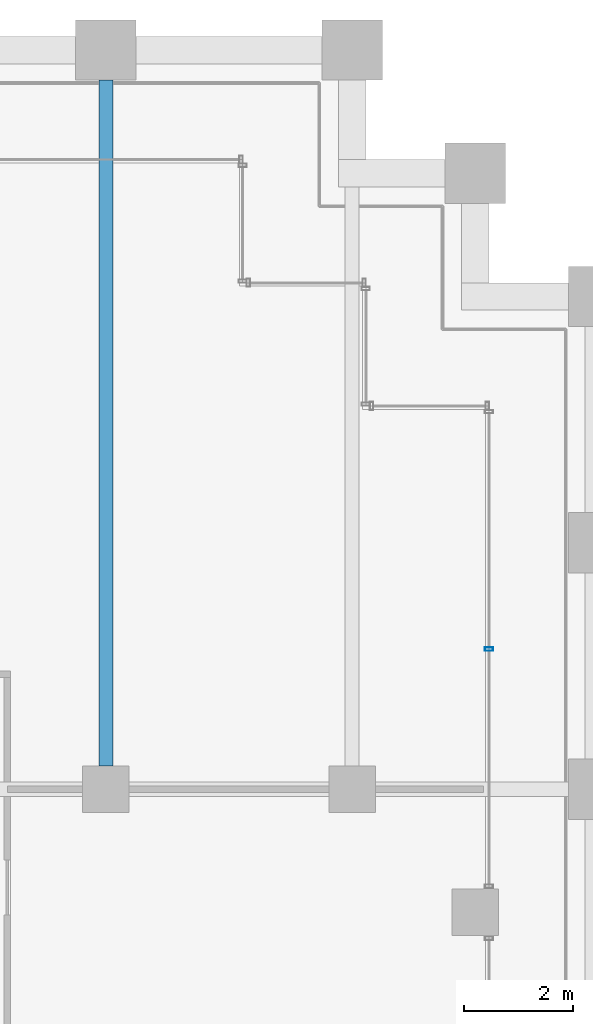
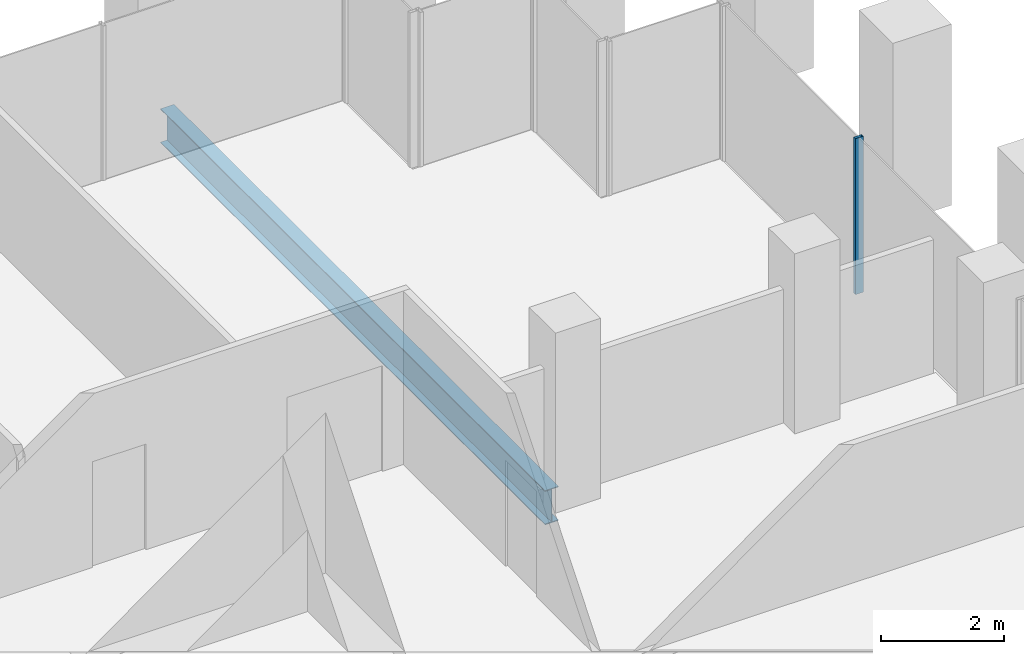
# One storey, part 30 of 56: 1 beam, 1 member, 1 element without a shape of its own.
"""IFC4 building model written with IfcOpenShell, lengths in metres."""

from ifc_helpers import new_model, si_unit, direction, frame, origin, origin_2d, place, context, subcontext, project, spatial, hollow_rectangle, i_section, extrude, material, material_profile, profile_set, type_object, element, aggregate, save


model = new_model("IFC4")

# Units and contexts
model_context = context("Model", 3, precision=1e-05, world=origin(), true_north=direction((0.0, 1.0)))
body_context = subcontext(model_context, "Body", "Model", "MODEL_VIEW")
ifc_project = project(units=[si_unit("LENGTHUNIT", "METRE"), si_unit("AREAUNIT", "SQUARE_METRE"), si_unit("VOLUMEUNIT", "CUBIC_METRE"), si_unit("PLANEANGLEUNIT", "RADIAN"), si_unit("MASSUNIT", "GRAM", prefix="KILO")], contexts=[model_context])

# Site, building, storey
site_placement = place(None, origin())
site = spatial("IfcSite", under=ifc_project, at=site_placement, CompositionType="ELEMENT")
building_placement = place(site_placement, origin())
building = spatial("IfcBuilding", under=site, at=building_placement, Name="Altepetl Exchange Towers", CompositionType="ELEMENT")
storey_placement = place(building_placement, frame((0.0, 0.0, 54.60009765625)))
storey = spatial("IfcBuildingStorey", under=building, at=storey_placement, Name="L12", CompositionType="ELEMENT", Elevation=54.60009765625)

# Beam
ifc_material_1 = material(Name="Steel S355", Category="steel")
ifc_material_profile_1 = material_profile(ifc_material_1, i_section(OverallWidth=0.25390625, OverallDepth=0.68408203125, WebThickness=0.012451171875, FlangeThickness=0.018798828125, at=origin_2d()), Name="W27X94")
ifc_profile_set_1 = profile_set([ifc_material_profile_1], Name="Steel S355")
beam_type = type_object("IfcBeamType", Name="Floor beam W27X94", PredefinedType="BEAM", material=ifc_profile_set_1)
beam_placement = place(storey_placement, frame((63.0, 58.925048828125, -0.4921875), z_axis=(0.0, 1.0, 0.0), x_axis=(-1.0, 0.0, 0.0)))
element("IfcBeam", 1, at=beam_placement, inside=storey, type_object=beam_type, Name="bm:A:L12:004", PredefinedType="BEAM", context=body_context, shape_type="SweptSolid", body=[
    extrude(i_section(OverallWidth=0.25390625, OverallDepth=0.68408203125, WebThickness=0.012451171875, FlangeThickness=0.018798828125, at=origin_2d()), origin(), (0.0, 0.0, 1.0), 12.52490234375),
])

# Curtain wall, member
ifc_material_2 = material(Name="Aluminium 6063-T6 glazing", Category="aluminium")
curtain_wall_type = type_object("IfcCurtainWallType", Name="Loggia glazing system", PredefinedType="NOTDEFINED", material=ifc_material_2)
curtain_wall_placement = place(storey_placement, origin())
curtain_wall = element("IfcCurtainWall", 2, at=curtain_wall_placement, inside=storey, type_object=curtain_wall_type, Name="CW1 run", PredefinedType="NOTDEFINED")
ifc_material_3 = material(Name="Aluminium 6063-T6", Category="aluminium")
ifc_material_profile_2 = material_profile(ifc_material_3, hollow_rectangle(XDim=0.06005859375, YDim=0.14990234375, WallThickness=0.0029296875, at=origin_2d()), Name="Mullion 60x150 aluminium")
ifc_profile_set_2 = profile_set([ifc_material_profile_2], Name="Aluminium 6063-T6")
member_type = type_object("IfcMemberType", Name="Mullion 60x150 aluminium", PredefinedType="MULLION", material=ifc_profile_set_2)
member_placement = place(storey_placement, frame((70.0, 61.06005859375, 0.0), z_axis=(0.0, 0.0, 1.0), x_axis=(0.0, 1.0, 0.0)))
member = element("IfcMember", 3, at=member_placement, type_object=member_type, Name="MU1 mullion", PredefinedType="MULLION", context=body_context, shape_type="SweptSolid", body=[
    extrude(hollow_rectangle(XDim=0.06005859375, YDim=0.14990234375, WallThickness=0.0029296875, at=origin_2d()), origin(), (0.0, 0.0, 1.0), 3.099853515625),
])
aggregate(curtain_wall, [member])

save(model, "model.ifc")
